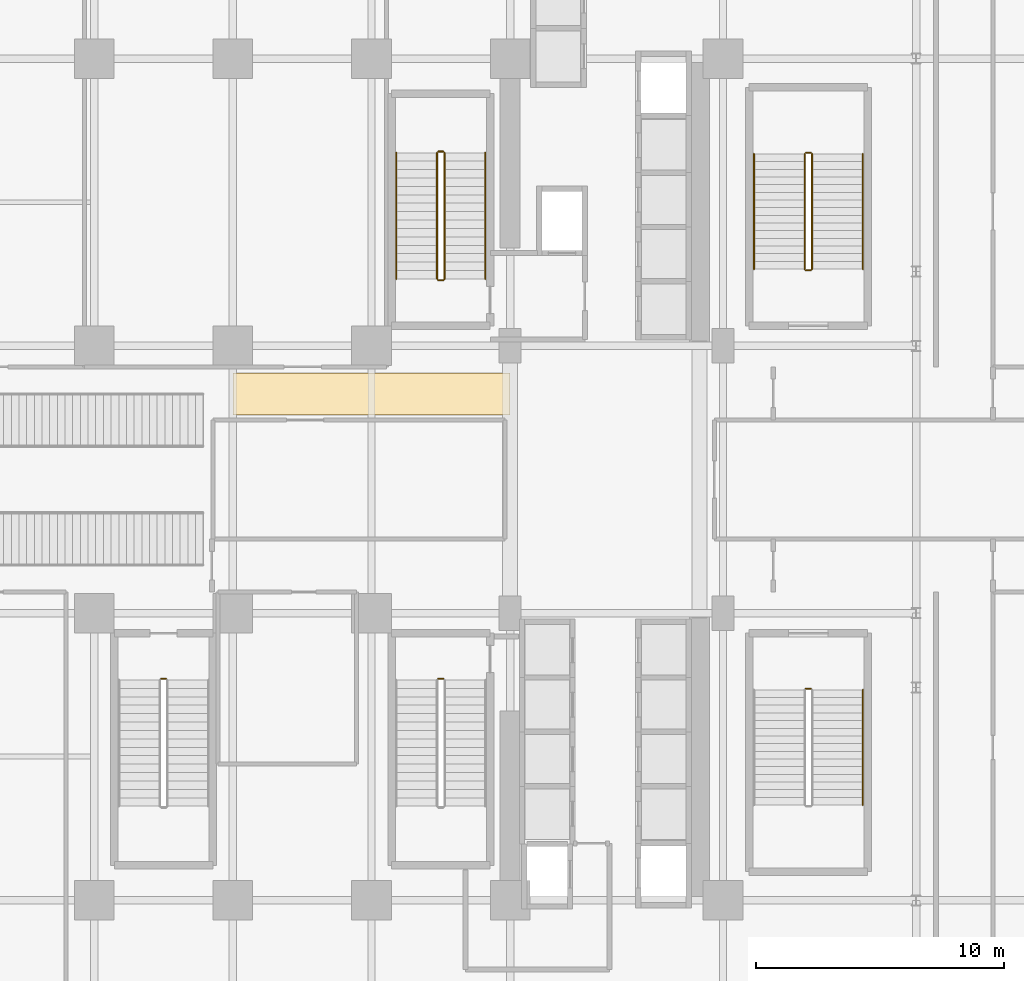
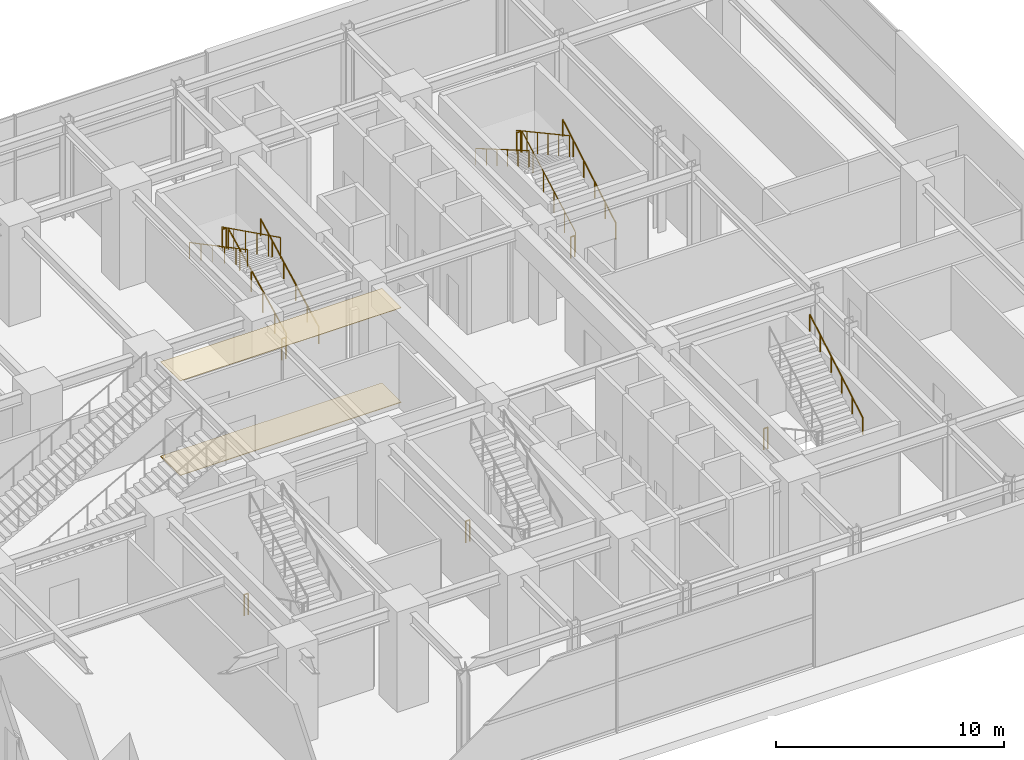
# One storey, part 28 of 29: 16 railings, 2 coverings.
"""IFC4 building model written with IfcOpenShell, lengths in metres."""

from ifc_helpers import new_model, si_unit, direction, frame, origin, origin_2d, place, context, subcontext, project, spatial, polyline, circle, outline, extrude, material, layer, layer_set, type_object, element, save


model = new_model("IFC4")

# Units and contexts
model_context = context("Model", 3, precision=1e-05, world=origin(), true_north=direction((0.0, 1.0)))
body_context = subcontext(model_context, "Body", "Model", "MODEL_VIEW")
ifc_project = project(units=[si_unit("LENGTHUNIT", "METRE"), si_unit("AREAUNIT", "SQUARE_METRE"), si_unit("VOLUMEUNIT", "CUBIC_METRE"), si_unit("PLANEANGLEUNIT", "RADIAN"), si_unit("MASSUNIT", "GRAM", prefix="KILO")], contexts=[model_context])

# Site, building, storey
site_placement = place(None, origin())
site = spatial("IfcSite", under=ifc_project, at=site_placement, CompositionType="ELEMENT")
building_placement = place(site_placement, origin())
building = spatial("IfcBuilding", under=site, at=building_placement, Name="Nahalor Promenade Grand Hotel", CompositionType="ELEMENT")
storey_placement = place(building_placement, origin())
storey = spatial("IfcBuildingStorey", under=building, at=storey_placement, Name="L00", CompositionType="ELEMENT", Elevation=0.0)

# Coverings
ifc_material_1 = material(Name="Acoustic Mineral Gypsum", Category="gypsum")
ifc_layer_1 = layer(ifc_material_1, 0.02490234375)
ifc_layer_set_1 = layer_set([ifc_layer_1], Name="Acoustic Mineral Gypsum")
covering_type_1 = type_object("IfcCoveringType", Name="Acoustic Suspended Ceiling Tile", PredefinedType="CEILING", material=ifc_layer_set_1)
covering_1_placement = place(storey_placement, frame((0.0, 0.0, 5.054931640625)))
element("IfcCovering", 1, at=covering_1_placement, inside=storey, type_object=covering_type_1, Name="CV-CEIL-L00", PredefinedType="CEILING", context=body_context, shape_type="SweptSolid", body=[
    extrude(outline(polyline([(-2.800048828125, 2.60009765625), (8.39990234375, 2.60009765625), (8.39990234375, 4.300048828125), (-2.800048828125, 4.300048828125), (-2.800048828125, 2.60009765625)])), origin(), (0.0, 0.0, 1.0), 0.025146484375),
])
ifc_material_2 = material(Name="Jerusalem Limestone Flooring", Category="masonry")
ifc_layer_2 = layer(ifc_material_2, 0.030029296875)
ifc_layer_set_2 = layer_set([ifc_layer_2], Name="Jerusalem Limestone Flooring")
covering_type_2 = type_object("IfcCoveringType", Name="Honed Limestone Floor Finish", PredefinedType="FLOORING", material=ifc_layer_set_2)
covering_2_placement = place(storey_placement, origin())
element("IfcCovering", 2, at=covering_2_placement, inside=storey, type_object=covering_type_2, Name="CV-FLOR-L00", PredefinedType="FLOORING", context=body_context, shape_type="SweptSolid", body=[
    extrude(outline(polyline([(-2.800048828125, 2.60009765625), (8.39990234375, 2.60009765625), (8.39990234375, 4.300048828125), (-2.800048828125, 4.300048828125), (-2.800048828125, 2.60009765625)])), origin(), (0.0, 0.0, 1.0), 0.030029296875),
])

# Railings
ifc_material_3 = material(Name="Steel S355JR", Category="steel")
railing_type_1 = type_object("IfcRailingType", Name="Steel Stair Guardrail 1150 mm", PredefinedType="GUARDRAIL", material=ifc_material_3)
railing_1_placement = place(storey_placement, frame((5.75, 8.10009765625, 0.168701171875)))
element("IfcRailing", 3, at=railing_1_placement, inside=storey, type_object=railing_type_1, Name="L00 ST1 stair guard 1", PredefinedType="GUARDRAIL", context=body_context, shape_type="SweptSolid", body=[
    extrude(circle(Radius=0.024048, at=origin_2d()), frame((0.0, 0.0, 1.1259765625), z_axis=(0.0, 0.895735491292, 0.444587370086), x_axis=(-1.0, 0.0, 0.0)), (0.0, 0.0, 1.0), 5.693603515625),
    extrude(circle(Radius=0.020996, at=origin_2d()), origin(), (0.0, 0.0, 1.0), 1.099853515625),
    extrude(circle(Radius=0.020996, at=origin_2d()), frame((0.0, 1.02001953125, 0.50634765625)), (0.0, 0.0, 1.0), 1.099853515625),
    extrude(circle(Radius=0.020996, at=origin_2d()), frame((0.0, 2.0400390625, 1.012451171875)), (0.0, 0.0, 1.0), 1.099853515625),
    extrude(circle(Radius=0.020996, at=origin_2d()), frame((0.0, 3.059814453125, 1.518798828125)), (0.0, 0.0, 1.0), 1.099853515625),
    extrude(circle(Radius=0.020996, at=origin_2d()), frame((0.0, 4.079833984375, 2.02490234375)), (0.0, 0.0, 1.0), 1.099853515625),
    extrude(circle(Radius=0.020996, at=origin_2d()), frame((0.0, 5.099853515625, 2.53125)), (0.0, 0.0, 1.0), 1.099853515625),
])
railing_2_placement = place(storey_placement, frame((5.699951171875, 13.25, 2.699951171875)))
element("IfcRailing", 4, at=railing_2_placement, inside=storey, type_object=railing_type_1, Name="L00 ST1 stair guard 2", PredefinedType="GUARDRAIL", context=body_context, shape_type="SweptSolid", body=[
    extrude(circle(Radius=0.024048, at=origin_2d()), frame((0.0, 0.0, 1.1259765625), z_axis=(-1.0, 0.0, 0.0), x_axis=(0.0, -1.0, 0.0)), (0.0, 0.0, 1.0), 0.199951171875),
    extrude(circle(Radius=0.020996, at=origin_2d()), origin(), (0.0, 0.0, 1.0), 1.099853515625),
    extrude(circle(Radius=0.020996, at=origin_2d()), frame((-0.199951171875, 0.0, 0.0)), (0.0, 0.0, 1.0), 1.099853515625),
])
railing_3_placement = place(storey_placement, frame((5.449951171875, 13.199951171875, 2.86865234375)))
element("IfcRailing", 5, at=railing_3_placement, inside=storey, type_object=railing_type_1, Name="L00 ST1 stair guard 3", PredefinedType="GUARDRAIL", context=body_context, shape_type="SweptSolid", body=[
    extrude(circle(Radius=0.024048, at=origin_2d()), frame((0.0, 0.0, 1.1259765625), z_axis=(0.0, -0.895735491292, 0.444587370086), x_axis=(1.0, 0.0, 0.0)), (0.0, 0.0, 1.0), 5.693603515625),
    extrude(circle(Radius=0.020996, at=origin_2d()), origin(), (0.0, 0.0, 1.0), 1.099853515625),
    extrude(circle(Radius=0.020996, at=origin_2d()), frame((0.0, -1.02001953125, 0.50634765625)), (0.0, 0.0, 1.0), 1.099853515625),
    extrude(circle(Radius=0.020996, at=origin_2d()), frame((0.0, -2.0400390625, 1.012451171875)), (0.0, 0.0, 1.0), 1.099853515625),
    extrude(circle(Radius=0.020996, at=origin_2d()), frame((0.0, -3.059814453125, 1.518798828125)), (0.0, 0.0, 1.0), 1.099853515625),
    extrude(circle(Radius=0.020996, at=origin_2d()), frame((0.0, -4.079833984375, 2.02490234375)), (0.0, 0.0, 1.0), 1.099853515625),
    extrude(circle(Radius=0.020996, at=origin_2d()), frame((0.0, -5.099853515625, 2.53125)), (0.0, 0.0, 1.0), 1.099853515625),
])
railing_4_placement = place(storey_placement, frame((5.699951171875, 8.050048828125, 0.0)))
element("IfcRailing", 6, at=railing_4_placement, inside=storey, type_object=railing_type_1, Name="L00 ST1 stair guard 4", PredefinedType="GUARDRAIL", context=body_context, shape_type="SweptSolid", body=[
    extrude(circle(Radius=0.024048, at=origin_2d()), frame((0.0, 0.0, 1.1259765625), z_axis=(-1.0, 0.0, 0.0), x_axis=(0.0, -1.0, 0.0)), (0.0, 0.0, 1.0), 0.199951171875),
    extrude(circle(Radius=0.020996, at=origin_2d()), origin(), (0.0, 0.0, 1.0), 1.099853515625),
    extrude(circle(Radius=0.020996, at=origin_2d()), frame((-0.199951171875, 0.0, 0.0)), (0.0, 0.0, 1.0), 1.099853515625),
])
for number, where, name in (
    (7, (5.5, -8.050048828125, 0.0), "L00 ST2 stair guard 4"),
    (8, (-5.699951171875, -8.050048828125, 0.0), "L00 ST3 stair guard 4"),
):
    element("IfcRailing", number, at=place(storey_placement, frame(where)), inside=storey, type_object=railing_type_1, Name=name, PredefinedType="GUARDRAIL", context=body_context, shape_type="SweptSolid", body=[
        extrude(circle(Radius=0.024048, at=origin_2d()), frame((0.0, 0.0, 1.1259765625), z_axis=(1.0, 0.0, 0.0), x_axis=(0.0, 1.0, 0.0)), (0.0, 0.0, 1.0), 0.199951171875),
        extrude(circle(Radius=0.020996, at=origin_2d()), origin(), (0.0, 0.0, 1.0), 1.099853515625),
        extrude(circle(Radius=0.020996, at=origin_2d()), frame((0.199951171875, 0.0, 0.0)), (0.0, 0.0, 1.0), 1.099853515625),
    ])
railing_5_placement = place(storey_placement, frame((20.60009765625, 8.5, 0.168701171875)))
element("IfcRailing", 9, at=railing_5_placement, inside=storey, type_object=railing_type_1, Name="L00 ST4 stair guard 1", PredefinedType="GUARDRAIL", context=body_context, shape_type="SweptSolid", body=[
    extrude(circle(Radius=0.024048, at=origin_2d()), frame((0.0, 0.0, 1.1259765625), z_axis=(0.0, 0.878297076953, 0.478115304728), x_axis=(-1.0, 0.0, 0.0)), (0.0, 0.0, 1.0), 5.294189453125),
    extrude(circle(Radius=0.020996, at=origin_2d()), origin(), (0.0, 0.0, 1.0), 1.099853515625),
    extrude(circle(Radius=0.020996, at=origin_2d()), frame((0.0, 0.929931640625, 0.50634765625)), (0.0, 0.0, 1.0), 1.099853515625),
    extrude(circle(Radius=0.020996, at=origin_2d()), frame((0.0, 1.85986328125, 1.012451171875)), (0.0, 0.0, 1.0), 1.099853515625),
    extrude(circle(Radius=0.020996, at=origin_2d()), frame((0.0, 2.7900390625, 1.518798828125)), (0.0, 0.0, 1.0), 1.099853515625),
    extrude(circle(Radius=0.020996, at=origin_2d()), frame((0.0, 3.719970703125, 2.02490234375)), (0.0, 0.0, 1.0), 1.099853515625),
    extrude(circle(Radius=0.020996, at=origin_2d()), frame((0.0, 4.64990234375, 2.53125)), (0.0, 0.0, 1.0), 1.099853515625),
])
railing_6_placement = place(storey_placement, frame((20.550048828125, 13.199951171875, 2.699951171875)))
element("IfcRailing", 10, at=railing_6_placement, inside=storey, type_object=railing_type_1, Name="L00 ST4 stair guard 2", PredefinedType="GUARDRAIL", context=body_context, shape_type="SweptSolid", body=[
    extrude(circle(Radius=0.024048, at=origin_2d()), frame((0.0, 0.0, 1.1259765625), z_axis=(-1.0, 0.0, 0.0), x_axis=(0.0, -1.0, 0.0)), (0.0, 0.0, 1.0), 0.199951171875),
    extrude(circle(Radius=0.020996, at=origin_2d()), origin(), (0.0, 0.0, 1.0), 1.099853515625),
    extrude(circle(Radius=0.020996, at=origin_2d()), frame((-0.199951171875, 0.0, 0.0)), (0.0, 0.0, 1.0), 1.099853515625),
])
railing_7_placement = place(storey_placement, frame((20.300048828125, 13.14990234375, 2.86865234375)))
element("IfcRailing", 11, at=railing_7_placement, inside=storey, type_object=railing_type_1, Name="L00 ST4 stair guard 3", PredefinedType="GUARDRAIL", context=body_context, shape_type="SweptSolid", body=[
    extrude(circle(Radius=0.024048, at=origin_2d()), frame((0.0, 0.0, 1.1259765625), z_axis=(0.0, -0.878297076953, 0.478115304728), x_axis=(1.0, 0.0, 0.0)), (0.0, 0.0, 1.0), 5.294189453125),
    extrude(circle(Radius=0.020996, at=origin_2d()), origin(), (0.0, 0.0, 1.0), 1.099853515625),
    extrude(circle(Radius=0.020996, at=origin_2d()), frame((0.0, -0.929931640625, 0.50634765625)), (0.0, 0.0, 1.0), 1.099853515625),
    extrude(circle(Radius=0.020996, at=origin_2d()), frame((0.0, -1.85986328125, 1.012451171875)), (0.0, 0.0, 1.0), 1.099853515625),
    extrude(circle(Radius=0.020996, at=origin_2d()), frame((0.0, -2.7900390625, 1.518798828125)), (0.0, 0.0, 1.0), 1.099853515625),
    extrude(circle(Radius=0.020996, at=origin_2d()), frame((0.0, -3.719970703125, 2.02490234375)), (0.0, 0.0, 1.0), 1.099853515625),
    extrude(circle(Radius=0.020996, at=origin_2d()), frame((0.0, -4.64990234375, 2.53125)), (0.0, 0.0, 1.0), 1.099853515625),
])
railing_8_placement = place(storey_placement, frame((20.550048828125, 8.449951171875, 0.0)))
element("IfcRailing", 12, at=railing_8_placement, inside=storey, type_object=railing_type_1, Name="L00 ST4 stair guard 4", PredefinedType="GUARDRAIL", context=body_context, shape_type="SweptSolid", body=[
    extrude(circle(Radius=0.024048, at=origin_2d()), frame((0.0, 0.0, 1.1259765625), z_axis=(-1.0, 0.0, 0.0), x_axis=(0.0, -1.0, 0.0)), (0.0, 0.0, 1.0), 0.199951171875),
    extrude(circle(Radius=0.020996, at=origin_2d()), origin(), (0.0, 0.0, 1.0), 1.099853515625),
    extrude(circle(Radius=0.020996, at=origin_2d()), frame((-0.199951171875, 0.0, 0.0)), (0.0, 0.0, 1.0), 1.099853515625),
])
railing_9_placement = place(storey_placement, frame((20.35009765625, -8.449951171875, 0.0)))
element("IfcRailing", 13, at=railing_9_placement, inside=storey, type_object=railing_type_1, Name="L00 ST5 stair guard 4", PredefinedType="GUARDRAIL", context=body_context, shape_type="SweptSolid", body=[
    extrude(circle(Radius=0.024048, at=origin_2d()), frame((0.0, 0.0, 1.1259765625), z_axis=(1.0, 0.0, 0.0), x_axis=(0.0, 1.0, 0.0)), (0.0, 0.0, 1.0), 0.199951171875),
    extrude(circle(Radius=0.020996, at=origin_2d()), origin(), (0.0, 0.0, 1.0), 1.099853515625),
    extrude(circle(Radius=0.020996, at=origin_2d()), frame((0.199951171875, 0.0, 0.0)), (0.0, 0.0, 1.0), 1.099853515625),
])
railing_type_2 = type_object("IfcRailingType", Name="Steel Stair Handrail 900 mm", PredefinedType="HANDRAIL", material=ifc_material_3)
railing_10_placement = place(storey_placement, frame((7.39990234375, 8.10009765625, 0.168701171875)))
element("IfcRailing", 14, at=railing_10_placement, inside=storey, type_object=railing_type_2, Name="L00 ST1 stair handrail 1", PredefinedType="HANDRAIL", context=body_context, shape_type="SweptSolid", body=[
    extrude(circle(Radius=0.024048, at=origin_2d()), frame((0.0, 0.0, 0.8759765625), z_axis=(0.0, 0.883785858079, 0.467891608238), x_axis=(-1.0, 0.0, 0.0)), (0.0, 0.0, 1.0), 5.7705078125),
    extrude(circle(Radius=0.020996, at=origin_2d()), origin(), (0.0, 0.0, 1.0), 0.849853515625),
    extrude(circle(Radius=0.020996, at=origin_2d()), frame((0.0, 1.02001953125, 0.5400390625)), (0.0, 0.0, 1.0), 0.849853515625),
    extrude(circle(Radius=0.020996, at=origin_2d()), frame((0.0, 2.0400390625, 1.080078125)), (0.0, 0.0, 1.0), 0.849853515625),
    extrude(circle(Radius=0.020996, at=origin_2d()), frame((0.0, 3.059814453125, 1.619873046875)), (0.0, 0.0, 1.0), 0.849853515625),
    extrude(circle(Radius=0.020996, at=origin_2d()), frame((0.0, 4.079833984375, 2.159912109375)), (0.0, 0.0, 1.0), 0.849853515625),
    extrude(circle(Radius=0.020996, at=origin_2d()), frame((0.0, 5.099853515625, 2.699951171875)), (0.0, 0.0, 1.0), 0.849853515625),
])
railing_11_placement = place(storey_placement, frame((3.800048828125, 13.199951171875, 2.86865234375)))
element("IfcRailing", 15, at=railing_11_placement, inside=storey, type_object=railing_type_2, Name="L00 ST1 stair handrail 2", PredefinedType="HANDRAIL", context=body_context, shape_type="SweptSolid", body=[
    extrude(circle(Radius=0.024048, at=origin_2d()), frame((0.0, 0.0, 0.8759765625), z_axis=(0.0, -0.883768362495, 0.467924653607), x_axis=(1.0, 0.0, 0.0)), (0.0, 0.0, 1.0), 5.7705078125),
    extrude(circle(Radius=0.020996, at=origin_2d()), origin(), (0.0, 0.0, 1.0), 0.849853515625),
    extrude(circle(Radius=0.020996, at=origin_2d()), frame((0.0, -1.02001953125, 0.5400390625)), (0.0, 0.0, 1.0), 0.849853515625),
    extrude(circle(Radius=0.020996, at=origin_2d()), frame((0.0, -2.0400390625, 1.080078125)), (0.0, 0.0, 1.0), 0.849853515625),
    extrude(circle(Radius=0.020996, at=origin_2d()), frame((0.0, -3.059814453125, 1.6201171875)), (0.0, 0.0, 1.0), 0.849853515625),
    extrude(circle(Radius=0.020996, at=origin_2d()), frame((0.0, -4.079833984375, 2.16015625)), (0.0, 0.0, 1.0), 0.849853515625),
    extrude(circle(Radius=0.020996, at=origin_2d()), frame((0.0, -5.099853515625, 2.7001953125)), (0.0, 0.0, 1.0), 0.849853515625),
])
railing_12_placement = place(storey_placement, frame((22.64990234375, 8.5, 0.168701171875)))
element("IfcRailing", 16, at=railing_12_placement, inside=storey, type_object=railing_type_2, Name="L00 ST4 stair handrail 1", PredefinedType="HANDRAIL", context=body_context, shape_type="SweptSolid", body=[
    extrude(circle(Radius=0.024048, at=origin_2d()), frame((0.0, 0.0, 0.8759765625), z_axis=(0.0, 0.864788310583, 0.502136612766), x_axis=(-1.0, 0.0, 0.0)), (0.0, 0.0, 1.0), 5.376953125),
    extrude(circle(Radius=0.020996, at=origin_2d()), origin(), (0.0, 0.0, 1.0), 0.849853515625),
    extrude(circle(Radius=0.020996, at=origin_2d()), frame((0.0, 0.929931640625, 0.5400390625)), (0.0, 0.0, 1.0), 0.849853515625),
    extrude(circle(Radius=0.020996, at=origin_2d()), frame((0.0, 1.85986328125, 1.080078125)), (0.0, 0.0, 1.0), 0.849853515625),
    extrude(circle(Radius=0.020996, at=origin_2d()), frame((0.0, 2.7900390625, 1.619873046875)), (0.0, 0.0, 1.0), 0.849853515625),
    extrude(circle(Radius=0.020996, at=origin_2d()), frame((0.0, 3.719970703125, 2.159912109375)), (0.0, 0.0, 1.0), 0.849853515625),
    extrude(circle(Radius=0.020996, at=origin_2d()), frame((0.0, 4.64990234375, 2.699951171875)), (0.0, 0.0, 1.0), 0.849853515625),
])
railing_13_placement = place(storey_placement, frame((18.25, 13.14990234375, 2.86865234375)))
element("IfcRailing", 17, at=railing_13_placement, inside=storey, type_object=railing_type_2, Name="L00 ST4 stair handrail 2", PredefinedType="HANDRAIL", context=body_context, shape_type="SweptSolid", body=[
    extrude(circle(Radius=0.024048, at=origin_2d()), frame((0.0, 0.0, 0.8759765625), z_axis=(0.0, -0.864768593507, 0.502170568318), x_axis=(1.0, 0.0, 0.0)), (0.0, 0.0, 1.0), 5.376953125),
    extrude(circle(Radius=0.020996, at=origin_2d()), origin(), (0.0, 0.0, 1.0), 0.849853515625),
    extrude(circle(Radius=0.020996, at=origin_2d()), frame((0.0, -0.929931640625, 0.5400390625)), (0.0, 0.0, 1.0), 0.849853515625),
    extrude(circle(Radius=0.020996, at=origin_2d()), frame((0.0, -1.85986328125, 1.080078125)), (0.0, 0.0, 1.0), 0.849853515625),
    extrude(circle(Radius=0.020996, at=origin_2d()), frame((0.0, -2.7900390625, 1.6201171875)), (0.0, 0.0, 1.0), 0.849853515625),
    extrude(circle(Radius=0.020996, at=origin_2d()), frame((0.0, -3.719970703125, 2.16015625)), (0.0, 0.0, 1.0), 0.849853515625),
    extrude(circle(Radius=0.020996, at=origin_2d()), frame((0.0, -4.64990234375, 2.7001953125)), (0.0, 0.0, 1.0), 0.849853515625),
])
railing_14_placement = place(storey_placement, frame((22.64990234375, -13.14990234375, 2.86865234375)))
element("IfcRailing", 18, at=railing_14_placement, inside=storey, type_object=railing_type_2, Name="L00 ST5 stair handrail 2", PredefinedType="HANDRAIL", context=body_context, shape_type="SweptSolid", body=[
    extrude(circle(Radius=0.024048, at=origin_2d()), frame((0.0, 0.0, 0.8759765625), z_axis=(0.0, 0.864768593507, 0.502170568318), x_axis=(-1.0, 0.0, 0.0)), (0.0, 0.0, 1.0), 5.376953125),
    extrude(circle(Radius=0.020996, at=origin_2d()), origin(), (0.0, 0.0, 1.0), 0.849853515625),
    extrude(circle(Radius=0.020996, at=origin_2d()), frame((0.0, 0.929931640625, 0.5400390625)), (0.0, 0.0, 1.0), 0.849853515625),
    extrude(circle(Radius=0.020996, at=origin_2d()), frame((0.0, 1.85986328125, 1.080078125)), (0.0, 0.0, 1.0), 0.849853515625),
    extrude(circle(Radius=0.020996, at=origin_2d()), frame((0.0, 2.7900390625, 1.6201171875)), (0.0, 0.0, 1.0), 0.849853515625),
    extrude(circle(Radius=0.020996, at=origin_2d()), frame((0.0, 3.719970703125, 2.16015625)), (0.0, 0.0, 1.0), 0.849853515625),
    extrude(circle(Radius=0.020996, at=origin_2d()), frame((0.0, 4.64990234375, 2.7001953125)), (0.0, 0.0, 1.0), 0.849853515625),
])

save(model, "model.ifc")
